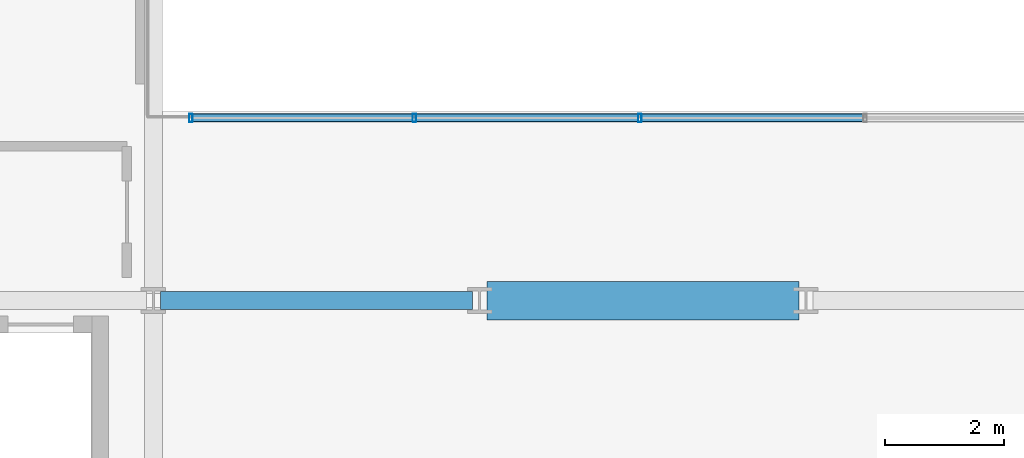
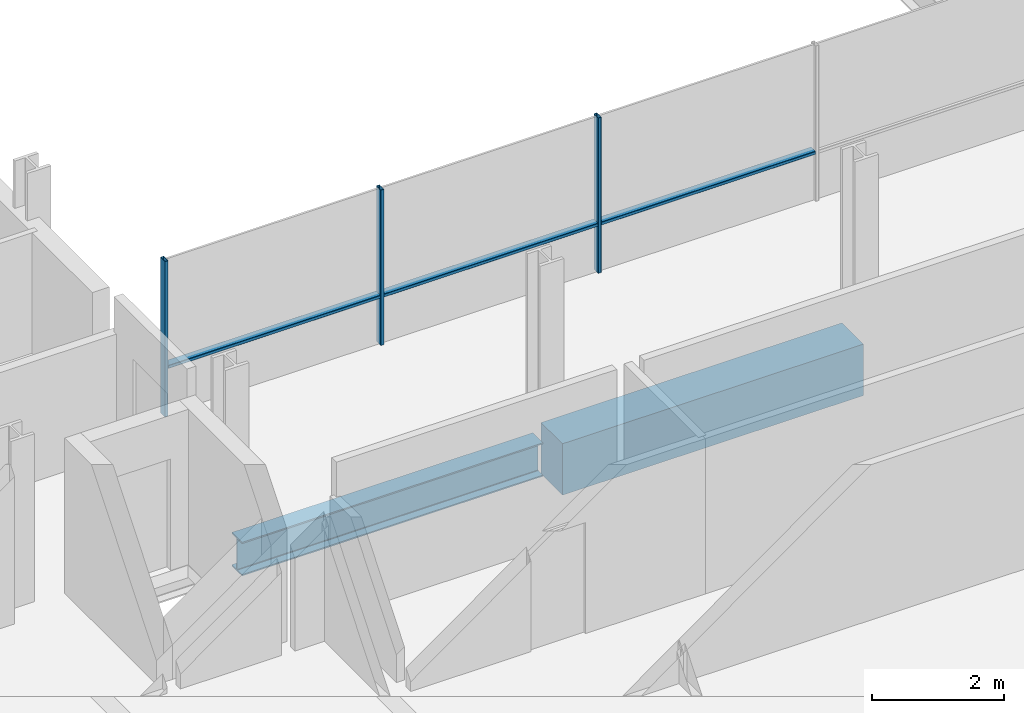
# One storey, part 4 of 41: 6 members, 2 beams, 1 element without a shape of its own.
"""IFC4 building model written with IfcOpenShell, lengths in metres."""

from ifc_helpers import new_model, si_unit, direction, frame, origin, origin_2d, place, context, subcontext, project, spatial, rectangle, hollow_rectangle, i_section, extrude, material, layer, layer_set, material_profile, profile_set, type_object, element, aggregate, save


model = new_model("IFC4")

# Units and contexts
model_context = context("Model", 3, precision=1e-05, world=origin(), true_north=direction((0.0, 1.0)))
body_context = subcontext(model_context, "Body", "Model", "MODEL_VIEW")
ifc_project = project(units=[si_unit("LENGTHUNIT", "METRE"), si_unit("AREAUNIT", "SQUARE_METRE"), si_unit("VOLUMEUNIT", "CUBIC_METRE"), si_unit("PLANEANGLEUNIT", "RADIAN"), si_unit("MASSUNIT", "GRAM", prefix="KILO")], contexts=[model_context])

# Site, building, storey
site_placement = place(None, origin())
site = spatial("IfcSite", under=ifc_project, at=site_placement, CompositionType="ELEMENT")
building_placement = place(site_placement, origin())
building = spatial("IfcBuilding", under=site, at=building_placement, Name="Brevholm Reach", CompositionType="ELEMENT")
storey_placement = place(building_placement, frame((0.0, 0.0, 68.300048828125)))
storey = spatial("IfcBuildingStorey", under=building, at=storey_placement, Name="L19", CompositionType="ELEMENT", Elevation=68.300048828125)

# Beams
ifc_material_1 = material(Name="Concrete C60/75", Category="concrete")
ifc_material_profile_1 = material_profile(ifc_material_1, rectangle(XDim=0.64990234375, YDim=0.949951171875, at=origin_2d()), Name="RC 650x950")
ifc_profile_set_1 = profile_set([ifc_material_profile_1], Name="Concrete C60/75")
beam_type_1 = type_object("IfcBeamType", Name="BM-CB650", PredefinedType="LINTEL", material=ifc_profile_set_1)
beam_1_placement = place(storey_placement, frame((27.3701171875, 10.0, -0.705078125), z_axis=(1.0, 0.0, 0.0), x_axis=(0.0, 1.0, 0.0)))
element("IfcBeam", 1, at=beam_1_placement, inside=storey, type_object=beam_type_1, Name="L19 CB-01 Framing Beam", PredefinedType="LINTEL", context=body_context, shape_type="SweptSolid", body=[
    extrude(rectangle(XDim=0.64990234375, YDim=0.949951171875, at=origin_2d()), origin(), (0.0, 0.0, 1.0), 5.259765625),
])
ifc_material_2 = material(Name="Structural Steel S355J2", Category="steel")
ifc_material_profile_2 = material_profile(ifc_material_2, i_section(OverallWidth=0.30712890625, OverallDepth=0.6201171875, WebThickness=0.01416015625, FlangeThickness=0.023681640625, FilletRadius=0.0166015625, at=origin_2d()), Name="UKB 610x305x179")
ifc_profile_set_2 = profile_set([ifc_material_profile_2], Name="Structural Steel S355J2")
beam_type_2 = type_object("IfcBeamType", Name="BM-UKB610H", PredefinedType="USERDEFINED", material=ifc_profile_set_2)
beam_2_placement = place(storey_placement, frame((21.8701171875, 10.0, -0.5400390625), z_axis=(1.0, 0.0, 0.0), x_axis=(0.0, 1.0, 0.0)))
element("IfcBeam", 2, at=beam_2_placement, inside=storey, type_object=beam_type_2, Name="L19 G-06 Framing Beam", ObjectType="GIRDER", PredefinedType="USERDEFINED", context=body_context, shape_type="SweptSolid", body=[
    extrude(i_section(OverallWidth=0.30712890625, OverallDepth=0.6201171875, WebThickness=0.01416015625, FlangeThickness=0.023681640625, FilletRadius=0.0166015625, at=origin_2d()), origin(), (0.0, 0.0, 1.0), 5.259765625),
])

# Curtain wall, members
ifc_material_3 = material(Name="Dark Anodised Aluminium 6063-T6 and Solar-Control Glass", Category="aluminium")
ifc_layer = layer(ifc_material_3, 0.139892578125)
ifc_layer_set = layer_set([ifc_layer], Name="Dark Anodised Aluminium 6063-T6 and Solar-Control Glass")
curtain_wall_type = type_object("IfcCurtainWallType", Name="CW-02", PredefinedType="NOTDEFINED", material=ifc_layer_set)
curtain_wall_placement = place(storey_placement, origin())
curtain_wall = element("IfcCurtainWall", 3, at=curtain_wall_placement, inside=storey, type_object=curtain_wall_type, Name="L19 Curtain Wall CW-02", PredefinedType="NOTDEFINED")
ifc_material_4 = material(Name="Dark Anodised Aluminium 6063-T6", Category="aluminium")
ifc_material_profile_3 = material_profile(ifc_material_4, hollow_rectangle(XDim=0.06005859375, YDim=0.139892578125, WallThickness=0.0048828125, InnerFilletRadius=0.0048828125, OuterFilletRadius=0.010009765625, at=origin_2d()), Name="RHS 140x60x5")
ifc_profile_set_3 = profile_set([ifc_material_profile_3], Name="Dark Anodised Aluminium 6063-T6")
member_type_1 = type_object("IfcMemberType", Name="CWM-140", PredefinedType="MULLION", material=ifc_profile_set_3)
member_1_placement = place(storey_placement, frame((22.3798828125, 13.080078125, 0.0), z_axis=(0.0, 0.0, 1.0), x_axis=(1.0, 0.0, 0.0)))
member_1 = element("IfcMember", 4, at=member_1_placement, type_object=member_type_1, Name="CM-140 Mullion 1", PredefinedType="MULLION", context=body_context, shape_type="SweptSolid", body=[
    extrude(hollow_rectangle(XDim=0.06005859375, YDim=0.139892578125, WallThickness=0.0048828125, InnerFilletRadius=0.0048828125, OuterFilletRadius=0.010009765625, at=origin_2d()), origin(), (0.0, 0.0, 1.0), 2.869873046875),
])
member_2_placement = place(storey_placement, frame((26.14990234375, 13.080078125, 0.0), z_axis=(0.0, 0.0, 1.0), x_axis=(1.0, 0.0, 0.0)))
member_2 = element("IfcMember", 5, at=member_2_placement, type_object=member_type_1, Name="CM-140 Mullion 2", PredefinedType="MULLION", context=body_context, shape_type="SweptSolid", body=[
    extrude(hollow_rectangle(XDim=0.06005859375, YDim=0.139892578125, WallThickness=0.0048828125, InnerFilletRadius=0.0048828125, OuterFilletRadius=0.010009765625, at=origin_2d()), origin(), (0.0, 0.0, 1.0), 2.869873046875),
])
member_3_placement = place(storey_placement, frame((29.949951171875, 13.080078125, 0.0), z_axis=(0.0, 0.0, 1.0), x_axis=(1.0, 0.0, 0.0)))
member_3 = element("IfcMember", 6, at=member_3_placement, type_object=member_type_1, Name="CM-140 Mullion 3", PredefinedType="MULLION", context=body_context, shape_type="SweptSolid", body=[
    extrude(hollow_rectangle(XDim=0.06005859375, YDim=0.139892578125, WallThickness=0.0048828125, InnerFilletRadius=0.0048828125, OuterFilletRadius=0.010009765625, at=origin_2d()), origin(), (0.0, 0.0, 1.0), 2.869873046875),
])
ifc_material_5 = material(Name="Dark Anodised Aluminium 6063-T6", Category="aluminium")
ifc_material_profile_4 = material_profile(ifc_material_5, hollow_rectangle(XDim=0.06005859375, YDim=0.139892578125, WallThickness=0.0048828125, InnerFilletRadius=0.0048828125, OuterFilletRadius=0.010009765625, at=origin_2d()), Name="RHS 140x60x5")
ifc_profile_set_4 = profile_set([ifc_material_profile_4], Name="Dark Anodised Aluminium 6063-T6")
member_type_2 = type_object("IfcMemberType", Name="CWT-140", PredefinedType="NOTDEFINED", material=ifc_profile_set_4)
member_4_placement = place(storey_placement, frame((22.409912109375, 13.080078125, 0.89990234375), z_axis=(1.0, 0.0, 0.0), x_axis=(0.0, 0.0, 1.0)))
member_4 = element("IfcMember", 7, at=member_4_placement, type_object=member_type_2, Name="CT-140 Transom 1.1", ObjectType="TRANSOM", PredefinedType="USERDEFINED", context=body_context, shape_type="SweptSolid", body=[
    extrude(hollow_rectangle(XDim=0.06005859375, YDim=0.139892578125, WallThickness=0.0048828125, InnerFilletRadius=0.0048828125, OuterFilletRadius=0.010009765625, at=origin_2d()), origin(), (0.0, 0.0, 1.0), 3.710205078125),
])
member_5_placement = place(storey_placement, frame((26.179931640625, 13.080078125, 0.89990234375), z_axis=(1.0, 0.0, 0.0), x_axis=(0.0, 0.0, 1.0)))
member_5 = element("IfcMember", 8, at=member_5_placement, type_object=member_type_2, Name="CT-140 Transom 2.1", ObjectType="TRANSOM", PredefinedType="USERDEFINED", context=body_context, shape_type="SweptSolid", body=[
    extrude(hollow_rectangle(XDim=0.06005859375, YDim=0.139892578125, WallThickness=0.0048828125, InnerFilletRadius=0.0048828125, OuterFilletRadius=0.010009765625, at=origin_2d()), origin(), (0.0, 0.0, 1.0), 3.739990234375),
])
member_6_placement = place(storey_placement, frame((29.97998046875, 13.080078125, 0.89990234375), z_axis=(1.0, 0.0, 0.0), x_axis=(0.0, 0.0, 1.0)))
member_6 = element("IfcMember", 9, at=member_6_placement, type_object=member_type_2, Name="CT-140 Transom 3.1", ObjectType="TRANSOM", PredefinedType="USERDEFINED", context=body_context, shape_type="SweptSolid", body=[
    extrude(hollow_rectangle(XDim=0.06005859375, YDim=0.139892578125, WallThickness=0.0048828125, InnerFilletRadius=0.0048828125, OuterFilletRadius=0.010009765625, at=origin_2d()), origin(), (0.0, 0.0, 1.0), 3.739990234375),
])
aggregate(curtain_wall, [member_1, member_2, member_3, member_4, member_5, member_6])

save(model, "model.ifc")
